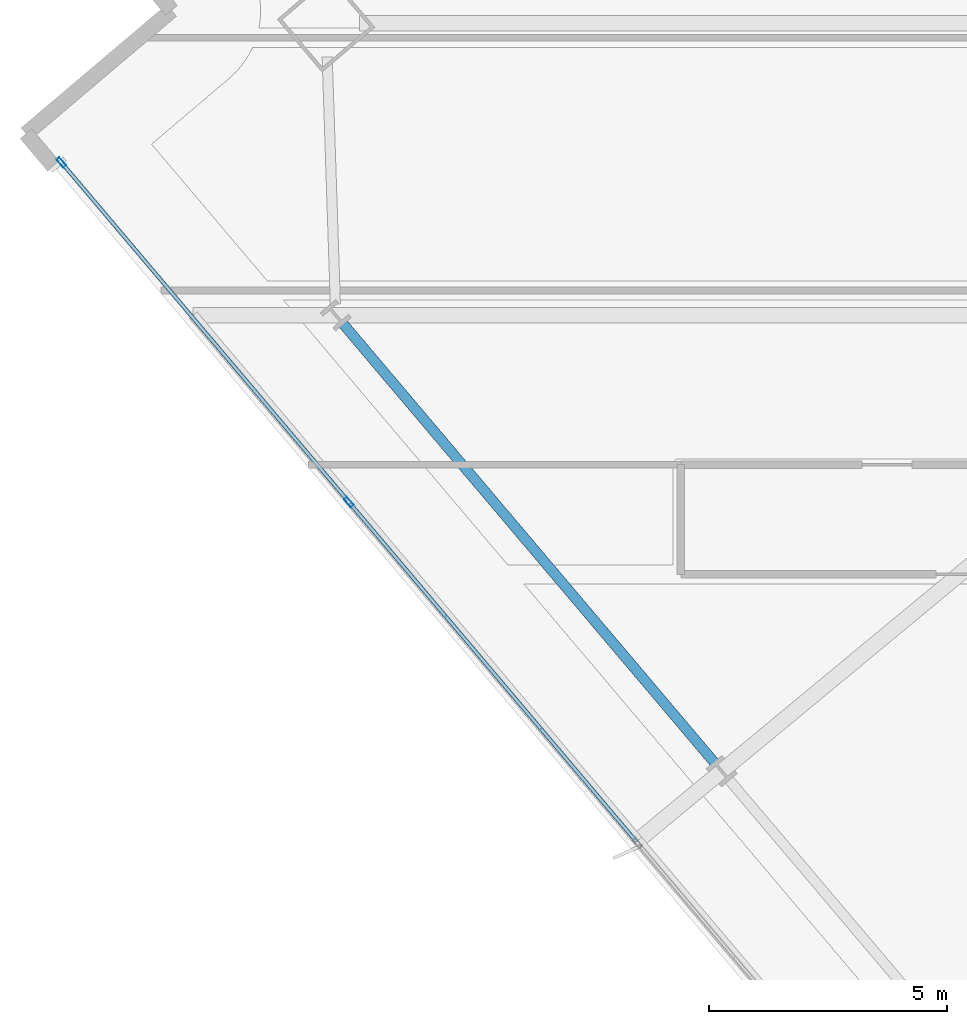
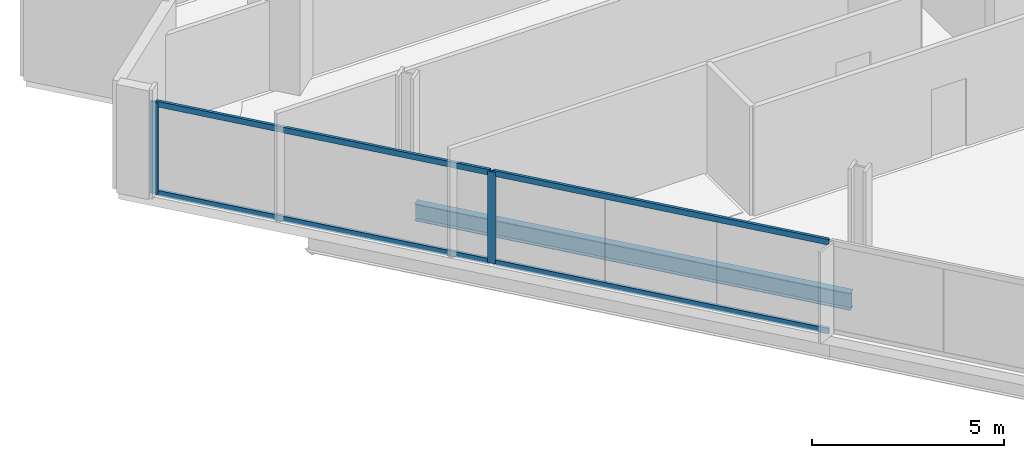
# One storey, part 6 of 34: 6 members, 1 beam, 1 element without a shape of its own.
"""IFC4 building model written with IfcOpenShell, lengths in metres."""

from ifc_helpers import new_model, si_unit, direction, frame, origin, origin_2d, place, context, subcontext, project, spatial, hollow_rectangle, i_section, extrude, material, material_profile, profile_set, type_object, element, aggregate, save


model = new_model("IFC4")

# Units and contexts
model_context = context("Model", 3, precision=1e-05, world=origin(), true_north=direction((0.0, 1.0)))
body_context = subcontext(model_context, "Body", "Model", "MODEL_VIEW")
ifc_project = project(units=[si_unit("LENGTHUNIT", "METRE"), si_unit("AREAUNIT", "SQUARE_METRE"), si_unit("VOLUMEUNIT", "CUBIC_METRE"), si_unit("PLANEANGLEUNIT", "RADIAN"), si_unit("MASSUNIT", "GRAM", prefix="KILO")], contexts=[model_context])

# Site, building, storey
site_placement = place(None, origin())
site = spatial("IfcSite", under=ifc_project, at=site_placement, CompositionType="ELEMENT")
building_placement = place(site_placement, origin())
building = spatial("IfcBuilding", under=site, at=building_placement, Name="Haldenkirk Collegiate Tower", CompositionType="ELEMENT")
storey_placement = place(building_placement, frame((0.0, 0.0, 163.199951171875)))
storey = spatial("IfcBuildingStorey", under=building, at=storey_placement, Name="L40", CompositionType="ELEMENT", Elevation=163.199951171875)

# Beam
ifc_material_1 = material(Name="Steel ASTM A992 Grade 50", Category="steel")
ifc_material_profile_1 = material_profile(ifc_material_1, i_section(OverallWidth=0.2119140625, OverallDepth=0.5439453125, WebThickness=0.01318359375, FlangeThickness=0.021240234375, at=origin_2d()), Name="W21X83")
ifc_profile_set_1 = profile_set([ifc_material_profile_1], Name="Steel ASTM A992 Grade 50")
beam_type = type_object("IfcBeamType", Name="BM-SPANDREL-W21X83", PredefinedType="SPANDREL", material=ifc_profile_set_1)
beam_placement = place(storey_placement, frame((11.111328125, 20.80859375, -0.56201171875), z_axis=(0.646126367676, -0.763230448157, 0.0), x_axis=(0.763230448157, 0.646126367676, 0.0)))
element("IfcBeam", 1, at=beam_placement, inside=storey, type_object=beam_type, Name="L40 perimeter spandrel beam 14", PredefinedType="SPANDREL", context=body_context, shape_type="SweptSolid", body=[
    extrude(i_section(OverallWidth=0.2119140625, OverallDepth=0.5439453125, WebThickness=0.01318359375, FlangeThickness=0.021240234375, at=origin_2d()), origin(), (0.0, 0.0, 1.0), 12.06494140625),
])

# Curtain wall, members
ifc_material_2 = material(Name="Anodised architectural bronze aluminium", Category="aluminium")
curtain_wall_type = type_object("IfcCurtainWallType", Name="CW-SYS1-CONVEX-LOW", PredefinedType="USERDEFINED", material=ifc_material_2)
curtain_wall_placement = place(storey_placement, origin())
curtain_wall = element("IfcCurtainWall", 2, at=curtain_wall_placement, inside=storey, type_object=curtain_wall_type, Name="L40 Lower tower convex bronze-framed unitised curtain wall", ObjectType="UNITISED CURTAIN WALL", PredefinedType="USERDEFINED")
ifc_material_profile_2 = material_profile(ifc_material_2, hollow_rectangle(XDim=0.080078125, YDim=0.219970703125, WallThickness=0.0048828125, at=origin_2d()), Name="CW-MUL-1A")
ifc_profile_set_2 = profile_set([ifc_material_profile_2], Name="Anodised architectural bronze aluminium")
member_type_1 = type_object("IfcMemberType", Name="CW-MUL-1A", PredefinedType="MULLION", material=ifc_profile_set_2)
member_1_placement = place(storey_placement, frame((11.23876953125, 17.067626953125, 0.0), z_axis=(0.0, 0.0, 1.0), x_axis=(-0.763233122945, -0.646123208095, 0.0)))
member_1 = element("IfcMember", 3, at=member_1_placement, type_object=member_type_1, Name="CW-1A mullion 4", PredefinedType="MULLION", context=body_context, shape_type="SweptSolid", body=[
    extrude(hollow_rectangle(XDim=0.080078125, YDim=0.219970703125, WallThickness=0.0048828125, at=origin_2d()), origin(), (0.0, 0.0, 1.0), 2.9111328125),
])
member_2_placement = place(storey_placement, frame((5.21142578125, 24.1875, 0.0), z_axis=(0.0, 0.0, 1.0), x_axis=(-0.763233122945, -0.646123208095, 0.0)))
member_2 = element("IfcMember", 4, at=member_2_placement, type_object=member_type_1, Name="CW-1A mullion 5", PredefinedType="MULLION", context=body_context, shape_type="SweptSolid", body=[
    extrude(hollow_rectangle(XDim=0.080078125, YDim=0.219970703125, WallThickness=0.0048828125, at=origin_2d()), origin(), (0.0, 0.0, 1.0), 2.9111328125),
])
ifc_material_profile_3 = material_profile(ifc_material_2, hollow_rectangle(XDim=0.080078125, YDim=0.179931640625, WallThickness=0.0048828125, at=origin_2d()), Name="CW-TRN-1A")
ifc_profile_set_3 = profile_set([ifc_material_profile_3], Name="Anodised architectural bronze aluminium")
member_type_2 = type_object("IfcMemberType", Name="CW-TRN-1A", PredefinedType="USERDEFINED", material=ifc_profile_set_3)
member_3_placement = place(storey_placement, frame((17.266357421875, 9.947509765625, 0.0400390625), z_axis=(-0.646118955758, 0.763236722787, 0.0), x_axis=(-0.763236722787, -0.646118955758, 0.0)))
member_3 = element("IfcMember", 5, at=member_3_placement, type_object=member_type_2, Name="CW-1A transom 3.1", ObjectType="TRANSOM", PredefinedType="USERDEFINED", context=body_context, shape_type="SweptSolid", body=[
    extrude(hollow_rectangle(XDim=0.080078125, YDim=0.179931640625, WallThickness=0.0048828125, at=origin_2d()), origin(), (0.0, 0.0, 1.0), 9.288818359375),
])
member_4_placement = place(storey_placement, frame((17.266357421875, 9.947509765625, 2.87109375), z_axis=(-0.646118955758, 0.763236722787, 0.0), x_axis=(-0.763236722787, -0.646118955758, 0.0)))
member_4 = element("IfcMember", 6, at=member_4_placement, type_object=member_type_2, Name="CW-1A transom 3.2", ObjectType="TRANSOM", PredefinedType="USERDEFINED", context=body_context, shape_type="SweptSolid", body=[
    extrude(hollow_rectangle(XDim=0.080078125, YDim=0.179931640625, WallThickness=0.0048828125, at=origin_2d()), origin(), (0.0, 0.0, 1.0), 9.288818359375),
])
member_5_placement = place(storey_placement, frame((11.213134765625, 17.09814453125, 0.0400390625), z_axis=(-0.646129188514, 0.763228060117, 0.0), x_axis=(-0.763228060117, -0.646129188514, 0.0)))
member_5 = element("IfcMember", 7, at=member_5_placement, type_object=member_type_2, Name="CW-1A transom 4.1", ObjectType="TRANSOM", PredefinedType="USERDEFINED", context=body_context, shape_type="SweptSolid", body=[
    extrude(hollow_rectangle(XDim=0.080078125, YDim=0.179931640625, WallThickness=0.0048828125, at=origin_2d()), origin(), (0.0, 0.0, 1.0), 9.248779296875),
])
member_6_placement = place(storey_placement, frame((11.213134765625, 17.09814453125, 2.87109375), z_axis=(-0.646129188514, 0.763228060117, 0.0), x_axis=(-0.763228060117, -0.646129188514, 0.0)))
member_6 = element("IfcMember", 8, at=member_6_placement, type_object=member_type_2, Name="CW-1A transom 4.2", ObjectType="TRANSOM", PredefinedType="USERDEFINED", context=body_context, shape_type="SweptSolid", body=[
    extrude(hollow_rectangle(XDim=0.080078125, YDim=0.179931640625, WallThickness=0.0048828125, at=origin_2d()), origin(), (0.0, 0.0, 1.0), 9.248779296875),
])
aggregate(curtain_wall, [member_1, member_2, member_3, member_4, member_5, member_6])

save(model, "model.ifc")
